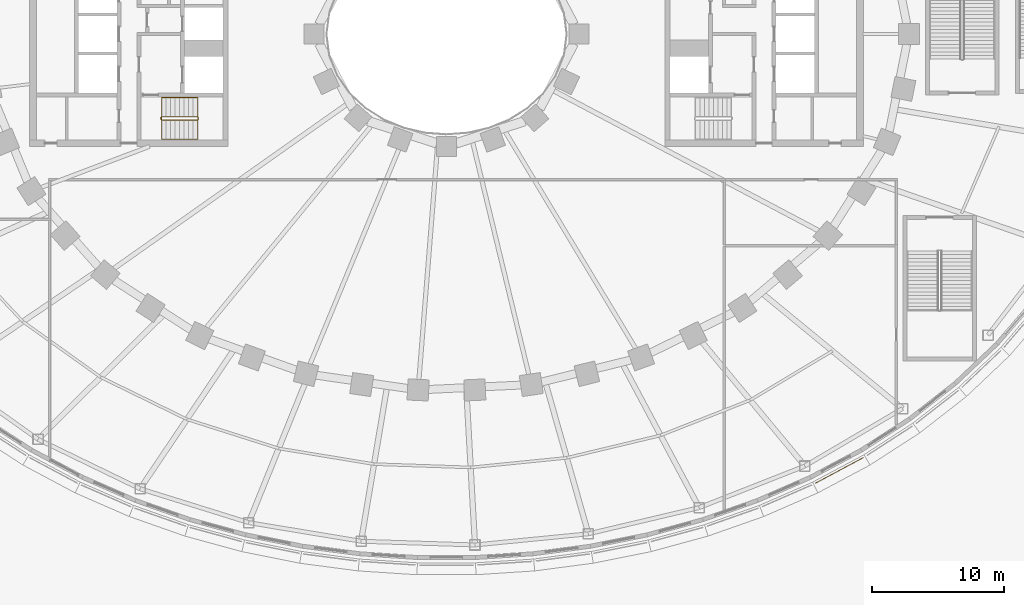
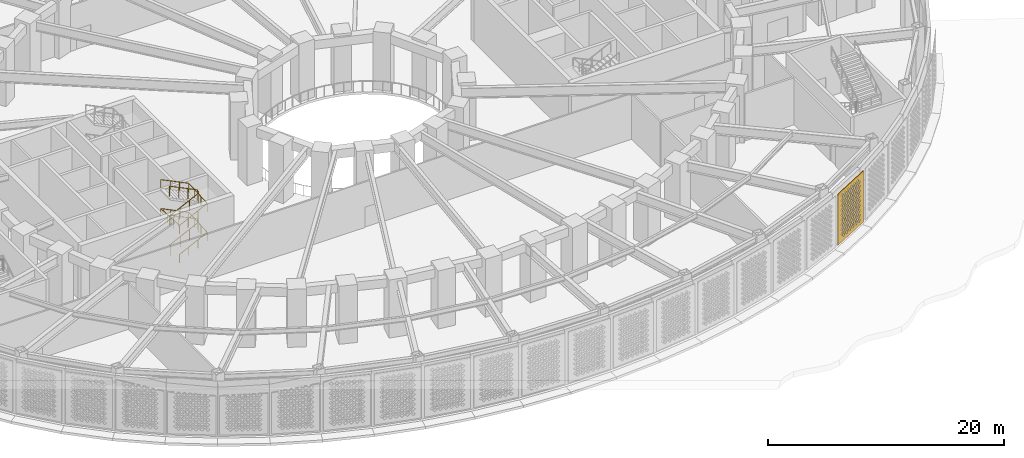
# One storey, part 64 of 74: 2 railings, 1 covering.
"""IFC4 building model written with IfcOpenShell, lengths in metres."""

from ifc_helpers import new_model, si_unit, direction, frame, origin, origin_2d, place, context, subcontext, project, spatial, polyline, rectangle, outline, extrude, material, layer, layer_set, type_object, element, save


model = new_model("IFC4")

# Units and contexts
model_context = context("Model", 3, precision=1e-05, world=origin(), true_north=direction((0.0, 1.0)))
body_context = subcontext(model_context, "Body", "Model", "MODEL_VIEW")
ifc_project = project(units=[si_unit("LENGTHUNIT", "METRE"), si_unit("AREAUNIT", "SQUARE_METRE"), si_unit("VOLUMEUNIT", "CUBIC_METRE"), si_unit("PLANEANGLEUNIT", "RADIAN"), si_unit("MASSUNIT", "GRAM", prefix="KILO")], contexts=[model_context])

# Site, building, storey
site_placement = place(None, origin())
site = spatial("IfcSite", under=ifc_project, at=site_placement, CompositionType="ELEMENT")
building_placement = place(site_placement, origin())
building = spatial("IfcBuilding", under=site, at=building_placement, Name="Noorbagh Ring Tower", CompositionType="ELEMENT")
storey_placement = place(building_placement, frame((0.0, 0.0, 7.5)))
storey = spatial("IfcBuildingStorey", under=building, at=storey_placement, Name="L01", CompositionType="ELEMENT", Elevation=7.5)

# Railings
ifc_material_1 = material(Name="Stainless steel", Category="steel")
railing_type_1 = type_object("IfcRailingType", Name="CORE-STAIR-GUARD", PredefinedType="GUARDRAIL", material=ifc_material_1)
railing_1_placement = place(storey_placement, frame((-21.580078125, -6.449951171875, 0.0)))
element("IfcRailing", 1, at=railing_1_placement, inside=storey, type_object=railing_type_1, Name="L01 ST2 stair guard", PredefinedType="GUARDRAIL", context=body_context, shape_type="SweptSolid", body=[
    extrude(rectangle(XDim=0.048095703125, YDim=0.048095703125, at=origin_2d()), frame((0.0, 0.0, 1.076171875), z_axis=(0.0, 1.0, 0.0), x_axis=(-1.0, 0.0, 0.0)), (0.0, 0.0, 1.0), 0.14990234375),
    extrude(rectangle(XDim=0.048095703125, YDim=0.048095703125, at=origin_2d()), frame((0.0, 0.14990234375, 1.076171875), z_axis=(0.188775798145, -0.754182335027, 0.628945707965), x_axis=(0.970072785993, 0.242814311512, 0.0)), (0.0, 0.0, 1.0), 0.26513671875),
    extrude(rectangle(XDim=0.048095703125, YDim=0.048095703125, at=origin_2d()), frame((0.050048828125, -0.050048828125, 1.24267578125), z_axis=(0.897929466783, 0.0, 0.4401393787), x_axis=(0.0, 1.0, 0.0)), (0.0, 0.0, 1.0), 3.029052734375),
    extrude(rectangle(XDim=0.048095703125, YDim=0.048095703125, at=origin_2d()), frame((2.77001953125, -0.050048828125, 2.576171875), z_axis=(0.707106781187, 0.707106781187, 0.0), x_axis=(-0.707106781187, 0.707106781187, 0.0)), (0.0, 0.0, 1.0), 0.07080078125),
    extrude(rectangle(XDim=0.048095703125, YDim=0.048095703125, at=origin_2d()), frame((2.820068359375, 0.0, 2.576171875), z_axis=(0.0, 1.0, 0.0), x_axis=(-1.0, 0.0, 0.0)), (0.0, 0.0, 1.0), 0.14990234375),
    extrude(rectangle(XDim=0.048095703125, YDim=0.048095703125, at=origin_2d()), frame((2.820068359375, 0.14990234375, 2.576171875), z_axis=(-0.27628659633, 0.27628659633, 0.920506074601), x_axis=(-0.707106781187, -0.707106781187, 0.0)), (0.0, 0.0, 1.0), 0.18115234375),
    extrude(rectangle(XDim=0.048095703125, YDim=0.048095703125, at=origin_2d()), frame((2.77001953125, 0.199951171875, 2.74267578125), z_axis=(-0.897929466783, 0.0, 0.4401393787), x_axis=(0.0, -1.0, 0.0)), (0.0, 0.0, 1.0), 3.029052734375),
    extrude(rectangle(XDim=0.048095703125, YDim=0.048095703125, at=origin_2d()), frame((0.050048828125, 0.199951171875, 4.076171875), z_axis=(-0.242814311512, -0.970072785993, 0.0), x_axis=(0.970072785993, -0.242814311512, 0.0)), (0.0, 0.0, 1.0), 0.2060546875),
    extrude(rectangle(XDim=0.048095703125, YDim=0.048095703125, at=origin_2d()), frame((0.0, 0.0, 4.076171875), z_axis=(0.0, 1.0, 0.0), x_axis=(-1.0, 0.0, 0.0)), (0.0, 0.0, 1.0), 0.14990234375),
    extrude(rectangle(XDim=0.048095703125, YDim=0.048095703125, at=origin_2d()), frame((0.0, 0.14990234375, 4.076171875), z_axis=(0.188775798145, -0.754182335027, 0.628945707965), x_axis=(0.970072785993, 0.242814311512, 0.0)), (0.0, 0.0, 1.0), 0.26513671875),
    extrude(rectangle(XDim=0.048095703125, YDim=0.048095703125, at=origin_2d()), frame((0.050048828125, -0.050048828125, 4.24267578125), z_axis=(0.897929466783, 0.0, 0.4401393787), x_axis=(0.0, 1.0, 0.0)), (0.0, 0.0, 1.0), 3.029052734375),
    extrude(rectangle(XDim=0.048095703125, YDim=0.048095703125, at=origin_2d()), frame((2.77001953125, -0.050048828125, 5.576171875), z_axis=(0.707106781187, 0.707106781187, 0.0), x_axis=(-0.707106781187, 0.707106781187, 0.0)), (0.0, 0.0, 1.0), 0.07080078125),
    extrude(rectangle(XDim=0.048095703125, YDim=0.048095703125, at=origin_2d()), frame((2.820068359375, 0.0, 5.576171875), z_axis=(0.0, 1.0, 0.0), x_axis=(-1.0, 0.0, 0.0)), (0.0, 0.0, 1.0), 0.14990234375),
    extrude(rectangle(XDim=0.048095703125, YDim=0.048095703125, at=origin_2d()), frame((2.820068359375, 0.14990234375, 5.576171875), z_axis=(-0.27628659633, 0.27628659633, 0.920506074601), x_axis=(-0.707106781187, -0.707106781187, 0.0)), (0.0, 0.0, 1.0), 0.18115234375),
    extrude(rectangle(XDim=0.048095703125, YDim=0.048095703125, at=origin_2d()), frame((2.77001953125, 0.199951171875, 5.74267578125), z_axis=(-0.897929466783, 0.0, 0.4401393787), x_axis=(0.0, -1.0, 0.0)), (0.0, 0.0, 1.0), 3.029052734375),
    extrude(rectangle(XDim=0.0419921875, YDim=0.0419921875, at=origin_2d()), origin(), (0.0, 0.0, 1.0), 1.052001953125),
    extrude(rectangle(XDim=0.0419921875, YDim=0.0419921875, at=origin_2d()), frame((0.956787109375, -0.050048828125, 0.611083984375)), (0.0, 0.0, 1.0), 1.052001953125),
    extrude(rectangle(XDim=0.0419921875, YDim=0.0419921875, at=origin_2d()), frame((1.86328125, -0.050048828125, 1.0556640625)), (0.0, 0.0, 1.0), 1.052001953125),
    extrude(rectangle(XDim=0.0419921875, YDim=0.0419921875, at=origin_2d()), frame((2.77001953125, -0.050048828125, 1.5)), (0.0, 0.0, 1.0), 1.052001953125),
    extrude(rectangle(XDim=0.0419921875, YDim=0.0419921875, at=origin_2d()), frame((2.77001953125, 0.199951171875, 1.666748046875)), (0.0, 0.0, 1.0), 1.052001953125),
    extrude(rectangle(XDim=0.0419921875, YDim=0.0419921875, at=origin_2d()), frame((1.86328125, 0.199951171875, 2.111083984375)), (0.0, 0.0, 1.0), 1.052001953125),
    extrude(rectangle(XDim=0.0419921875, YDim=0.0419921875, at=origin_2d()), frame((0.956787109375, 0.199951171875, 2.5556640625)), (0.0, 0.0, 1.0), 1.052001953125),
    extrude(rectangle(XDim=0.0419921875, YDim=0.0419921875, at=origin_2d()), frame((0.050048828125, 0.199951171875, 3.0)), (0.0, 0.0, 1.0), 1.052001953125),
    extrude(rectangle(XDim=0.0419921875, YDim=0.0419921875, at=origin_2d()), frame((0.050048828125, -0.050048828125, 3.166748046875)), (0.0, 0.0, 1.0), 1.052001953125),
    extrude(rectangle(XDim=0.0419921875, YDim=0.0419921875, at=origin_2d()), frame((0.956787109375, -0.050048828125, 3.611083984375)), (0.0, 0.0, 1.0), 1.052001953125),
    extrude(rectangle(XDim=0.0419921875, YDim=0.0419921875, at=origin_2d()), frame((1.86328125, -0.050048828125, 4.0556640625)), (0.0, 0.0, 1.0), 1.052001953125),
    extrude(rectangle(XDim=0.0419921875, YDim=0.0419921875, at=origin_2d()), frame((2.77001953125, -0.050048828125, 4.5)), (0.0, 0.0, 1.0), 1.052001953125),
    extrude(rectangle(XDim=0.0419921875, YDim=0.0419921875, at=origin_2d()), frame((2.77001953125, 0.199951171875, 4.666748046875)), (0.0, 0.0, 1.0), 1.052001953125),
    extrude(rectangle(XDim=0.0419921875, YDim=0.0419921875, at=origin_2d()), frame((1.86328125, 0.199951171875, 5.111083984375)), (0.0, 0.0, 1.0), 1.052001953125),
    extrude(rectangle(XDim=0.0419921875, YDim=0.0419921875, at=origin_2d()), frame((0.956787109375, 0.199951171875, 5.5556640625)), (0.0, 0.0, 1.0), 1.052001953125),
    extrude(rectangle(XDim=0.0419921875, YDim=0.0419921875, at=origin_2d()), frame((0.050048828125, 0.199951171875, 6.0)), (0.0, 0.0, 1.0), 1.052001953125),
])
ifc_material_2 = material(Name="Stainless steel", Category="steel")
railing_type_2 = type_object("IfcRailingType", Name="CORE-STAIR-HANDRAIL", PredefinedType="HANDRAIL", material=ifc_material_2)
railing_2_placement = place(storey_placement, frame((-21.530029296875, -7.949951171875, 0.166748046875)))
element("IfcRailing", 2, at=railing_2_placement, inside=storey, type_object=railing_type_2, Name="L01 ST2 stair handrail", PredefinedType="HANDRAIL", context=body_context, shape_type="SweptSolid", body=[
    extrude(rectangle(XDim=0.048095703125, YDim=0.048095703125, at=origin_2d()), frame((0.0, 0.0, 0.8759765625), z_axis=(0.897929466783, 0.0, 0.4401393787), x_axis=(0.0, 1.0, 0.0)), (0.0, 0.0, 1.0), 3.029052734375),
    extrude(rectangle(XDim=0.048095703125, YDim=0.048095703125, at=origin_2d()), frame((2.719970703125, 0.0, 2.208984375), z_axis=(0.0, 0.998601747152, 0.052863509014), x_axis=(-1.0, 0.0, 0.0)), (0.0, 0.0, 1.0), 3.154296875),
    extrude(rectangle(XDim=0.048095703125, YDim=0.048095703125, at=origin_2d()), frame((2.719970703125, 3.14990234375, 2.3759765625), z_axis=(-0.897929466783, 0.0, 0.4401393787), x_axis=(0.0, -1.0, 0.0)), (0.0, 0.0, 1.0), 3.029052734375),
    extrude(rectangle(XDim=0.048095703125, YDim=0.048095703125, at=origin_2d()), frame((0.0, 3.14990234375, 3.708984375), z_axis=(0.0, -0.998601747152, 0.052863509014), x_axis=(1.0, 0.0, 0.0)), (0.0, 0.0, 1.0), 3.154296875),
    extrude(rectangle(XDim=0.048095703125, YDim=0.048095703125, at=origin_2d()), frame((0.0, 0.0, 3.8759765625), z_axis=(0.897929466783, 0.0, 0.4401393787), x_axis=(0.0, 1.0, 0.0)), (0.0, 0.0, 1.0), 3.029052734375),
    extrude(rectangle(XDim=0.048095703125, YDim=0.048095703125, at=origin_2d()), frame((2.719970703125, 0.0, 5.208984375), z_axis=(0.0, 0.998601747152, 0.052863509014), x_axis=(-1.0, 0.0, 0.0)), (0.0, 0.0, 1.0), 3.154296875),
    extrude(rectangle(XDim=0.048095703125, YDim=0.048095703125, at=origin_2d()), frame((2.719970703125, 3.14990234375, 5.3759765625), z_axis=(-0.897929466783, 0.0, 0.4401393787), x_axis=(0.0, -1.0, 0.0)), (0.0, 0.0, 1.0), 3.029052734375),
    extrude(rectangle(XDim=0.0419921875, YDim=0.0419921875, at=origin_2d()), origin(), (0.0, 0.0, 1.0), 0.851806640625),
    extrude(rectangle(XDim=0.0419921875, YDim=0.0419921875, at=origin_2d()), frame((0.90673828125, 0.0, 0.4443359375)), (0.0, 0.0, 1.0), 0.851806640625),
    extrude(rectangle(XDim=0.0419921875, YDim=0.0419921875, at=origin_2d()), frame((1.813232421875, 0.0, 0.888916015625)), (0.0, 0.0, 1.0), 0.851806640625),
    extrude(rectangle(XDim=0.0419921875, YDim=0.0419921875, at=origin_2d()), frame((2.719970703125, 0.0, 1.333251953125)), (0.0, 0.0, 1.0), 0.851806640625),
    extrude(rectangle(XDim=0.0419921875, YDim=0.0419921875, at=origin_2d()), frame((2.719970703125, 1.050048828125, 1.388916015625)), (0.0, 0.0, 1.0), 0.851806640625),
    extrude(rectangle(XDim=0.0419921875, YDim=0.0419921875, at=origin_2d()), frame((2.719970703125, 2.099853515625, 1.4443359375)), (0.0, 0.0, 1.0), 0.851806640625),
    extrude(rectangle(XDim=0.0419921875, YDim=0.0419921875, at=origin_2d()), frame((2.719970703125, 3.14990234375, 1.5)), (0.0, 0.0, 1.0), 0.851806640625),
    extrude(rectangle(XDim=0.0419921875, YDim=0.0419921875, at=origin_2d()), frame((1.813232421875, 3.14990234375, 1.9443359375)), (0.0, 0.0, 1.0), 0.851806640625),
    extrude(rectangle(XDim=0.0419921875, YDim=0.0419921875, at=origin_2d()), frame((0.90673828125, 3.14990234375, 2.388916015625)), (0.0, 0.0, 1.0), 0.851806640625),
    extrude(rectangle(XDim=0.0419921875, YDim=0.0419921875, at=origin_2d()), frame((0.0, 3.14990234375, 2.833251953125)), (0.0, 0.0, 1.0), 0.851806640625),
    extrude(rectangle(XDim=0.0419921875, YDim=0.0419921875, at=origin_2d()), frame((0.0, 2.099853515625, 2.888916015625)), (0.0, 0.0, 1.0), 0.851806640625),
    extrude(rectangle(XDim=0.0419921875, YDim=0.0419921875, at=origin_2d()), frame((0.0, 1.050048828125, 2.9443359375)), (0.0, 0.0, 1.0), 0.851806640625),
    extrude(rectangle(XDim=0.0419921875, YDim=0.0419921875, at=origin_2d()), frame((0.0, 0.0, 3.0)), (0.0, 0.0, 1.0), 0.851806640625),
    extrude(rectangle(XDim=0.0419921875, YDim=0.0419921875, at=origin_2d()), frame((0.90673828125, 0.0, 3.4443359375)), (0.0, 0.0, 1.0), 0.851806640625),
    extrude(rectangle(XDim=0.0419921875, YDim=0.0419921875, at=origin_2d()), frame((1.813232421875, 0.0, 3.888916015625)), (0.0, 0.0, 1.0), 0.851806640625),
    extrude(rectangle(XDim=0.0419921875, YDim=0.0419921875, at=origin_2d()), frame((2.719970703125, 0.0, 4.333251953125)), (0.0, 0.0, 1.0), 0.851806640625),
    extrude(rectangle(XDim=0.0419921875, YDim=0.0419921875, at=origin_2d()), frame((2.719970703125, 1.050048828125, 4.388916015625)), (0.0, 0.0, 1.0), 0.851806640625),
    extrude(rectangle(XDim=0.0419921875, YDim=0.0419921875, at=origin_2d()), frame((2.719970703125, 2.099853515625, 4.4443359375)), (0.0, 0.0, 1.0), 0.851806640625),
    extrude(rectangle(XDim=0.0419921875, YDim=0.0419921875, at=origin_2d()), frame((2.719970703125, 3.14990234375, 4.5)), (0.0, 0.0, 1.0), 0.851806640625),
    extrude(rectangle(XDim=0.0419921875, YDim=0.0419921875, at=origin_2d()), frame((1.813232421875, 3.14990234375, 4.9443359375)), (0.0, 0.0, 1.0), 0.851806640625),
    extrude(rectangle(XDim=0.0419921875, YDim=0.0419921875, at=origin_2d()), frame((0.90673828125, 3.14990234375, 5.388916015625)), (0.0, 0.0, 1.0), 0.851806640625),
    extrude(rectangle(XDim=0.0419921875, YDim=0.0419921875, at=origin_2d()), frame((0.0, 3.14990234375, 5.833251953125)), (0.0, 0.0, 1.0), 0.851806640625),
])

# Covering
ifc_material_3 = material(Name="Red sandstone jali", Category="masonry")
ifc_layer = layer(ifc_material_3, 0.0400390625)
ifc_layer_set = layer_set([ifc_layer], Name="Red sandstone jali")
covering_type = type_object("IfcCoveringType", Name="STY-JALI", PredefinedType="USERDEFINED", material=ifc_layer_set)
covering_placement = place(storey_placement, frame((27.897705078125, -33.9609375, 0.449951171875), z_axis=(0.470869695201, -0.882202771556, 0.0), x_axis=(0.882202771556, 0.470869695201, 0.0)))
element("IfcCovering", 3, at=covering_placement, inside=storey, type_object=covering_type, Name="Jali screen", ObjectType="SCREEN", PredefinedType="USERDEFINED", context=body_context, shape_type="SweptSolid", body=[
    extrude(outline(polyline([(0.0, 0.0), (4.0966796875, 0.0), (4.0966796875, 5.300048828125), (0.0, 5.300048828125), (0.0, 0.0)]), holes=[polyline([(0.743408203125, 0.52490234375), (0.92333984375, 0.344970703125), (1.103271484375, 0.52490234375), (0.92333984375, 0.705078125), (0.743408203125, 0.52490234375)]), polyline([(1.243408203125, 0.52490234375), (1.42333984375, 0.344970703125), (1.603271484375, 0.52490234375), (1.42333984375, 0.705078125), (1.243408203125, 0.52490234375)]), polyline([(1.743408203125, 0.52490234375), (1.92333984375, 0.344970703125), (2.103271484375, 0.52490234375), (1.92333984375, 0.705078125), (1.743408203125, 0.52490234375)]), polyline([(2.243408203125, 0.52490234375), (2.42333984375, 0.344970703125), (2.603271484375, 0.52490234375), (2.42333984375, 0.705078125), (2.243408203125, 0.52490234375)]), polyline([(2.743408203125, 0.52490234375), (2.92333984375, 0.344970703125), (3.103271484375, 0.52490234375), (2.92333984375, 0.705078125), (2.743408203125, 0.52490234375)]), polyline([(3.243408203125, 0.52490234375), (3.42333984375, 0.344970703125), (3.603271484375, 0.52490234375), (3.42333984375, 0.705078125), (3.243408203125, 0.52490234375)]), polyline([(0.493408203125, 0.77490234375), (0.67333984375, 0.594970703125), (0.853271484375, 0.77490234375), (0.67333984375, 0.955078125), (0.493408203125, 0.77490234375)]), polyline([(0.993408203125, 0.77490234375), (1.17333984375, 0.594970703125), (1.353271484375, 0.77490234375), (1.17333984375, 0.955078125), (0.993408203125, 0.77490234375)]), polyline([(1.493408203125, 0.77490234375), (1.67333984375, 0.594970703125), (1.853271484375, 0.77490234375), (1.67333984375, 0.955078125), (1.493408203125, 0.77490234375)]), polyline([(1.993408203125, 0.77490234375), (2.17333984375, 0.594970703125), (2.353271484375, 0.77490234375), (2.17333984375, 0.955078125), (1.993408203125, 0.77490234375)]), polyline([(2.493408203125, 0.77490234375), (2.67333984375, 0.594970703125), (2.853271484375, 0.77490234375), (2.67333984375, 0.955078125), (2.493408203125, 0.77490234375)]), polyline([(2.993408203125, 0.77490234375), (3.17333984375, 0.594970703125), (3.353271484375, 0.77490234375), (3.17333984375, 0.955078125), (2.993408203125, 0.77490234375)]), polyline([(0.743408203125, 1.02490234375), (0.92333984375, 0.844970703125), (1.103271484375, 1.02490234375), (0.92333984375, 1.205078125), (0.743408203125, 1.02490234375)]), polyline([(1.243408203125, 1.02490234375), (1.42333984375, 0.844970703125), (1.603271484375, 1.02490234375), (1.42333984375, 1.205078125), (1.243408203125, 1.02490234375)]), polyline([(1.743408203125, 1.02490234375), (1.92333984375, 0.844970703125), (2.103271484375, 1.02490234375), (1.92333984375, 1.205078125), (1.743408203125, 1.02490234375)]), polyline([(2.243408203125, 1.02490234375), (2.42333984375, 0.844970703125), (2.603271484375, 1.02490234375), (2.42333984375, 1.205078125), (2.243408203125, 1.02490234375)]), polyline([(2.743408203125, 1.02490234375), (2.92333984375, 0.844970703125), (3.103271484375, 1.02490234375), (2.92333984375, 1.205078125), (2.743408203125, 1.02490234375)]), polyline([(3.243408203125, 1.02490234375), (3.42333984375, 0.844970703125), (3.603271484375, 1.02490234375), (3.42333984375, 1.205078125), (3.243408203125, 1.02490234375)]), polyline([(0.493408203125, 1.27490234375), (0.67333984375, 1.094970703125), (0.853271484375, 1.27490234375), (0.67333984375, 1.455078125), (0.493408203125, 1.27490234375)]), polyline([(0.993408203125, 1.27490234375), (1.17333984375, 1.094970703125), (1.353271484375, 1.27490234375), (1.17333984375, 1.455078125), (0.993408203125, 1.27490234375)]), polyline([(1.493408203125, 1.27490234375), (1.67333984375, 1.094970703125), (1.853271484375, 1.27490234375), (1.67333984375, 1.455078125), (1.493408203125, 1.27490234375)]), polyline([(1.993408203125, 1.27490234375), (2.17333984375, 1.094970703125), (2.353271484375, 1.27490234375), (2.17333984375, 1.455078125), (1.993408203125, 1.27490234375)]), polyline([(2.493408203125, 1.27490234375), (2.67333984375, 1.094970703125), (2.853271484375, 1.27490234375), (2.67333984375, 1.455078125), (2.493408203125, 1.27490234375)]), polyline([(2.993408203125, 1.27490234375), (3.17333984375, 1.094970703125), (3.353271484375, 1.27490234375), (3.17333984375, 1.455078125), (2.993408203125, 1.27490234375)]), polyline([(0.743408203125, 1.52490234375), (0.92333984375, 1.344970703125), (1.103271484375, 1.52490234375), (0.92333984375, 1.705078125), (0.743408203125, 1.52490234375)]), polyline([(1.243408203125, 1.52490234375), (1.42333984375, 1.344970703125), (1.603271484375, 1.52490234375), (1.42333984375, 1.705078125), (1.243408203125, 1.52490234375)]), polyline([(1.743408203125, 1.52490234375), (1.92333984375, 1.344970703125), (2.103271484375, 1.52490234375), (1.92333984375, 1.705078125), (1.743408203125, 1.52490234375)]), polyline([(2.243408203125, 1.52490234375), (2.42333984375, 1.344970703125), (2.603271484375, 1.52490234375), (2.42333984375, 1.705078125), (2.243408203125, 1.52490234375)]), polyline([(2.743408203125, 1.52490234375), (2.92333984375, 1.344970703125), (3.103271484375, 1.52490234375), (2.92333984375, 1.705078125), (2.743408203125, 1.52490234375)]), polyline([(3.243408203125, 1.52490234375), (3.42333984375, 1.344970703125), (3.603271484375, 1.52490234375), (3.42333984375, 1.705078125), (3.243408203125, 1.52490234375)]), polyline([(0.493408203125, 1.77490234375), (0.67333984375, 1.594970703125), (0.853271484375, 1.77490234375), (0.67333984375, 1.955078125), (0.493408203125, 1.77490234375)]), polyline([(0.993408203125, 1.77490234375), (1.17333984375, 1.594970703125), (1.353271484375, 1.77490234375), (1.17333984375, 1.955078125), (0.993408203125, 1.77490234375)]), polyline([(1.493408203125, 1.77490234375), (1.67333984375, 1.594970703125), (1.853271484375, 1.77490234375), (1.67333984375, 1.955078125), (1.493408203125, 1.77490234375)]), polyline([(1.993408203125, 1.77490234375), (2.17333984375, 1.594970703125), (2.353271484375, 1.77490234375), (2.17333984375, 1.955078125), (1.993408203125, 1.77490234375)]), polyline([(2.493408203125, 1.77490234375), (2.67333984375, 1.594970703125), (2.853271484375, 1.77490234375), (2.67333984375, 1.955078125), (2.493408203125, 1.77490234375)]), polyline([(2.993408203125, 1.77490234375), (3.17333984375, 1.594970703125), (3.353271484375, 1.77490234375), (3.17333984375, 1.955078125), (2.993408203125, 1.77490234375)]), polyline([(0.743408203125, 2.02490234375), (0.92333984375, 1.844970703125), (1.103271484375, 2.02490234375), (0.92333984375, 2.205078125), (0.743408203125, 2.02490234375)]), polyline([(1.243408203125, 2.02490234375), (1.42333984375, 1.844970703125), (1.603271484375, 2.02490234375), (1.42333984375, 2.205078125), (1.243408203125, 2.02490234375)]), polyline([(1.743408203125, 2.02490234375), (1.92333984375, 1.844970703125), (2.103271484375, 2.02490234375), (1.92333984375, 2.205078125), (1.743408203125, 2.02490234375)]), polyline([(2.243408203125, 2.02490234375), (2.42333984375, 1.844970703125), (2.603271484375, 2.02490234375), (2.42333984375, 2.205078125), (2.243408203125, 2.02490234375)]), polyline([(2.743408203125, 2.02490234375), (2.92333984375, 1.844970703125), (3.103271484375, 2.02490234375), (2.92333984375, 2.205078125), (2.743408203125, 2.02490234375)]), polyline([(3.243408203125, 2.02490234375), (3.42333984375, 1.844970703125), (3.603271484375, 2.02490234375), (3.42333984375, 2.205078125), (3.243408203125, 2.02490234375)]), polyline([(0.493408203125, 2.27490234375), (0.67333984375, 2.094970703125), (0.853271484375, 2.27490234375), (0.67333984375, 2.455078125), (0.493408203125, 2.27490234375)]), polyline([(0.993408203125, 2.27490234375), (1.17333984375, 2.094970703125), (1.353271484375, 2.27490234375), (1.17333984375, 2.455078125), (0.993408203125, 2.27490234375)]), polyline([(1.493408203125, 2.27490234375), (1.67333984375, 2.094970703125), (1.853271484375, 2.27490234375), (1.67333984375, 2.455078125), (1.493408203125, 2.27490234375)]), polyline([(1.993408203125, 2.27490234375), (2.17333984375, 2.094970703125), (2.353271484375, 2.27490234375), (2.17333984375, 2.455078125), (1.993408203125, 2.27490234375)]), polyline([(2.493408203125, 2.27490234375), (2.67333984375, 2.094970703125), (2.853271484375, 2.27490234375), (2.67333984375, 2.455078125), (2.493408203125, 2.27490234375)]), polyline([(2.993408203125, 2.27490234375), (3.17333984375, 2.094970703125), (3.353271484375, 2.27490234375), (3.17333984375, 2.455078125), (2.993408203125, 2.27490234375)]), polyline([(0.743408203125, 2.52490234375), (0.92333984375, 2.344970703125), (1.103271484375, 2.52490234375), (0.92333984375, 2.705078125), (0.743408203125, 2.52490234375)]), polyline([(1.243408203125, 2.52490234375), (1.42333984375, 2.344970703125), (1.603271484375, 2.52490234375), (1.42333984375, 2.705078125), (1.243408203125, 2.52490234375)]), polyline([(1.743408203125, 2.52490234375), (1.92333984375, 2.344970703125), (2.103271484375, 2.52490234375), (1.92333984375, 2.705078125), (1.743408203125, 2.52490234375)]), polyline([(2.243408203125, 2.52490234375), (2.42333984375, 2.344970703125), (2.603271484375, 2.52490234375), (2.42333984375, 2.705078125), (2.243408203125, 2.52490234375)]), polyline([(2.743408203125, 2.52490234375), (2.92333984375, 2.344970703125), (3.103271484375, 2.52490234375), (2.92333984375, 2.705078125), (2.743408203125, 2.52490234375)]), polyline([(3.243408203125, 2.52490234375), (3.42333984375, 2.344970703125), (3.603271484375, 2.52490234375), (3.42333984375, 2.705078125), (3.243408203125, 2.52490234375)]), polyline([(0.493408203125, 2.77490234375), (0.67333984375, 2.594970703125), (0.853271484375, 2.77490234375), (0.67333984375, 2.955078125), (0.493408203125, 2.77490234375)]), polyline([(0.993408203125, 2.77490234375), (1.17333984375, 2.594970703125), (1.353271484375, 2.77490234375), (1.17333984375, 2.955078125), (0.993408203125, 2.77490234375)]), polyline([(1.493408203125, 2.77490234375), (1.67333984375, 2.594970703125), (1.853271484375, 2.77490234375), (1.67333984375, 2.955078125), (1.493408203125, 2.77490234375)]), polyline([(1.993408203125, 2.77490234375), (2.17333984375, 2.594970703125), (2.353271484375, 2.77490234375), (2.17333984375, 2.955078125), (1.993408203125, 2.77490234375)]), polyline([(2.493408203125, 2.77490234375), (2.67333984375, 2.594970703125), (2.853271484375, 2.77490234375), (2.67333984375, 2.955078125), (2.493408203125, 2.77490234375)]), polyline([(2.993408203125, 2.77490234375), (3.17333984375, 2.594970703125), (3.353271484375, 2.77490234375), (3.17333984375, 2.955078125), (2.993408203125, 2.77490234375)]), polyline([(0.743408203125, 3.02490234375), (0.92333984375, 2.844970703125), (1.103271484375, 3.02490234375), (0.92333984375, 3.205078125), (0.743408203125, 3.02490234375)]), polyline([(1.243408203125, 3.02490234375), (1.42333984375, 2.844970703125), (1.603271484375, 3.02490234375), (1.42333984375, 3.205078125), (1.243408203125, 3.02490234375)]), polyline([(1.743408203125, 3.02490234375), (1.92333984375, 2.844970703125), (2.103271484375, 3.02490234375), (1.92333984375, 3.205078125), (1.743408203125, 3.02490234375)]), polyline([(2.243408203125, 3.02490234375), (2.42333984375, 2.844970703125), (2.603271484375, 3.02490234375), (2.42333984375, 3.205078125), (2.243408203125, 3.02490234375)]), polyline([(2.743408203125, 3.02490234375), (2.92333984375, 2.844970703125), (3.103271484375, 3.02490234375), (2.92333984375, 3.205078125), (2.743408203125, 3.02490234375)]), polyline([(3.243408203125, 3.02490234375), (3.42333984375, 2.844970703125), (3.603271484375, 3.02490234375), (3.42333984375, 3.205078125), (3.243408203125, 3.02490234375)]), polyline([(0.493408203125, 3.27490234375), (0.67333984375, 3.094970703125), (0.853271484375, 3.27490234375), (0.67333984375, 3.455078125), (0.493408203125, 3.27490234375)]), polyline([(0.993408203125, 3.27490234375), (1.17333984375, 3.094970703125), (1.353271484375, 3.27490234375), (1.17333984375, 3.455078125), (0.993408203125, 3.27490234375)]), polyline([(1.493408203125, 3.27490234375), (1.67333984375, 3.094970703125), (1.853271484375, 3.27490234375), (1.67333984375, 3.455078125), (1.493408203125, 3.27490234375)]), polyline([(1.993408203125, 3.27490234375), (2.17333984375, 3.094970703125), (2.353271484375, 3.27490234375), (2.17333984375, 3.455078125), (1.993408203125, 3.27490234375)]), polyline([(2.493408203125, 3.27490234375), (2.67333984375, 3.094970703125), (2.853271484375, 3.27490234375), (2.67333984375, 3.455078125), (2.493408203125, 3.27490234375)]), polyline([(2.993408203125, 3.27490234375), (3.17333984375, 3.094970703125), (3.353271484375, 3.27490234375), (3.17333984375, 3.455078125), (2.993408203125, 3.27490234375)]), polyline([(0.743408203125, 3.52490234375), (0.92333984375, 3.344970703125), (1.103271484375, 3.52490234375), (0.92333984375, 3.705078125), (0.743408203125, 3.52490234375)]), polyline([(1.243408203125, 3.52490234375), (1.42333984375, 3.344970703125), (1.603271484375, 3.52490234375), (1.42333984375, 3.705078125), (1.243408203125, 3.52490234375)]), polyline([(1.743408203125, 3.52490234375), (1.92333984375, 3.344970703125), (2.103271484375, 3.52490234375), (1.92333984375, 3.705078125), (1.743408203125, 3.52490234375)]), polyline([(2.243408203125, 3.52490234375), (2.42333984375, 3.344970703125), (2.603271484375, 3.52490234375), (2.42333984375, 3.705078125), (2.243408203125, 3.52490234375)]), polyline([(2.743408203125, 3.52490234375), (2.92333984375, 3.344970703125), (3.103271484375, 3.52490234375), (2.92333984375, 3.705078125), (2.743408203125, 3.52490234375)]), polyline([(3.243408203125, 3.52490234375), (3.42333984375, 3.344970703125), (3.603271484375, 3.52490234375), (3.42333984375, 3.705078125), (3.243408203125, 3.52490234375)]), polyline([(0.493408203125, 3.77490234375), (0.67333984375, 3.594970703125), (0.853271484375, 3.77490234375), (0.67333984375, 3.955078125), (0.493408203125, 3.77490234375)]), polyline([(0.993408203125, 3.77490234375), (1.17333984375, 3.594970703125), (1.353271484375, 3.77490234375), (1.17333984375, 3.955078125), (0.993408203125, 3.77490234375)]), polyline([(1.493408203125, 3.77490234375), (1.67333984375, 3.594970703125), (1.853271484375, 3.77490234375), (1.67333984375, 3.955078125), (1.493408203125, 3.77490234375)]), polyline([(1.993408203125, 3.77490234375), (2.17333984375, 3.594970703125), (2.353271484375, 3.77490234375), (2.17333984375, 3.955078125), (1.993408203125, 3.77490234375)]), polyline([(2.493408203125, 3.77490234375), (2.67333984375, 3.594970703125), (2.853271484375, 3.77490234375), (2.67333984375, 3.955078125), (2.493408203125, 3.77490234375)]), polyline([(2.993408203125, 3.77490234375), (3.17333984375, 3.594970703125), (3.353271484375, 3.77490234375), (3.17333984375, 3.955078125), (2.993408203125, 3.77490234375)]), polyline([(0.743408203125, 4.02490234375), (0.92333984375, 3.844970703125), (1.103271484375, 4.02490234375), (0.92333984375, 4.205078125), (0.743408203125, 4.02490234375)]), polyline([(1.243408203125, 4.02490234375), (1.42333984375, 3.844970703125), (1.603271484375, 4.02490234375), (1.42333984375, 4.205078125), (1.243408203125, 4.02490234375)]), polyline([(1.743408203125, 4.02490234375), (1.92333984375, 3.844970703125), (2.103271484375, 4.02490234375), (1.92333984375, 4.205078125), (1.743408203125, 4.02490234375)]), polyline([(2.243408203125, 4.02490234375), (2.42333984375, 3.844970703125), (2.603271484375, 4.02490234375), (2.42333984375, 4.205078125), (2.243408203125, 4.02490234375)]), polyline([(2.743408203125, 4.02490234375), (2.92333984375, 3.844970703125), (3.103271484375, 4.02490234375), (2.92333984375, 4.205078125), (2.743408203125, 4.02490234375)]), polyline([(3.243408203125, 4.02490234375), (3.42333984375, 3.844970703125), (3.603271484375, 4.02490234375), (3.42333984375, 4.205078125), (3.243408203125, 4.02490234375)]), polyline([(0.493408203125, 4.27490234375), (0.67333984375, 4.094970703125), (0.853271484375, 4.27490234375), (0.67333984375, 4.455078125), (0.493408203125, 4.27490234375)]), polyline([(0.993408203125, 4.27490234375), (1.17333984375, 4.094970703125), (1.353271484375, 4.27490234375), (1.17333984375, 4.455078125), (0.993408203125, 4.27490234375)]), polyline([(1.493408203125, 4.27490234375), (1.67333984375, 4.094970703125), (1.853271484375, 4.27490234375), (1.67333984375, 4.455078125), (1.493408203125, 4.27490234375)]), polyline([(1.993408203125, 4.27490234375), (2.17333984375, 4.094970703125), (2.353271484375, 4.27490234375), (2.17333984375, 4.455078125), (1.993408203125, 4.27490234375)]), polyline([(2.493408203125, 4.27490234375), (2.67333984375, 4.094970703125), (2.853271484375, 4.27490234375), (2.67333984375, 4.455078125), (2.493408203125, 4.27490234375)]), polyline([(2.993408203125, 4.27490234375), (3.17333984375, 4.094970703125), (3.353271484375, 4.27490234375), (3.17333984375, 4.455078125), (2.993408203125, 4.27490234375)]), polyline([(0.743408203125, 4.52490234375), (0.92333984375, 4.344970703125), (1.103271484375, 4.52490234375), (0.92333984375, 4.705078125), (0.743408203125, 4.52490234375)]), polyline([(1.243408203125, 4.52490234375), (1.42333984375, 4.344970703125), (1.603271484375, 4.52490234375), (1.42333984375, 4.705078125), (1.243408203125, 4.52490234375)]), polyline([(1.743408203125, 4.52490234375), (1.92333984375, 4.344970703125), (2.103271484375, 4.52490234375), (1.92333984375, 4.705078125), (1.743408203125, 4.52490234375)]), polyline([(2.243408203125, 4.52490234375), (2.42333984375, 4.344970703125), (2.603271484375, 4.52490234375), (2.42333984375, 4.705078125), (2.243408203125, 4.52490234375)]), polyline([(2.743408203125, 4.52490234375), (2.92333984375, 4.344970703125), (3.103271484375, 4.52490234375), (2.92333984375, 4.705078125), (2.743408203125, 4.52490234375)]), polyline([(3.243408203125, 4.52490234375), (3.42333984375, 4.344970703125), (3.603271484375, 4.52490234375), (3.42333984375, 4.705078125), (3.243408203125, 4.52490234375)]), polyline([(0.493408203125, 4.77490234375), (0.67333984375, 4.594970703125), (0.853271484375, 4.77490234375), (0.67333984375, 4.955078125), (0.493408203125, 4.77490234375)]), polyline([(0.993408203125, 4.77490234375), (1.17333984375, 4.594970703125), (1.353271484375, 4.77490234375), (1.17333984375, 4.955078125), (0.993408203125, 4.77490234375)]), polyline([(1.493408203125, 4.77490234375), (1.67333984375, 4.594970703125), (1.853271484375, 4.77490234375), (1.67333984375, 4.955078125), (1.493408203125, 4.77490234375)]), polyline([(1.993408203125, 4.77490234375), (2.17333984375, 4.594970703125), (2.353271484375, 4.77490234375), (2.17333984375, 4.955078125), (1.993408203125, 4.77490234375)]), polyline([(2.493408203125, 4.77490234375), (2.67333984375, 4.594970703125), (2.853271484375, 4.77490234375), (2.67333984375, 4.955078125), (2.493408203125, 4.77490234375)]), polyline([(2.993408203125, 4.77490234375), (3.17333984375, 4.594970703125), (3.353271484375, 4.77490234375), (3.17333984375, 4.955078125), (2.993408203125, 4.77490234375)])]), origin(), (0.0, 0.0, -1.0), 0.0400390625),
])

save(model, "model.ifc")
